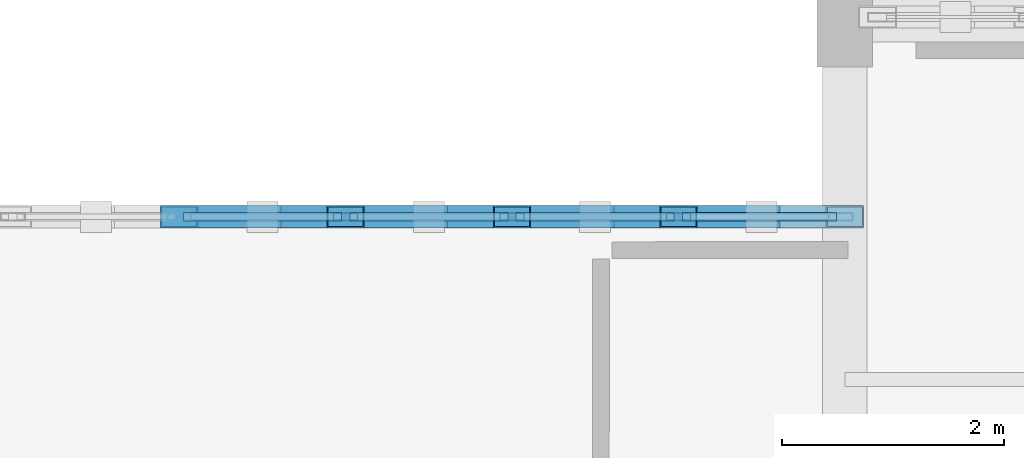
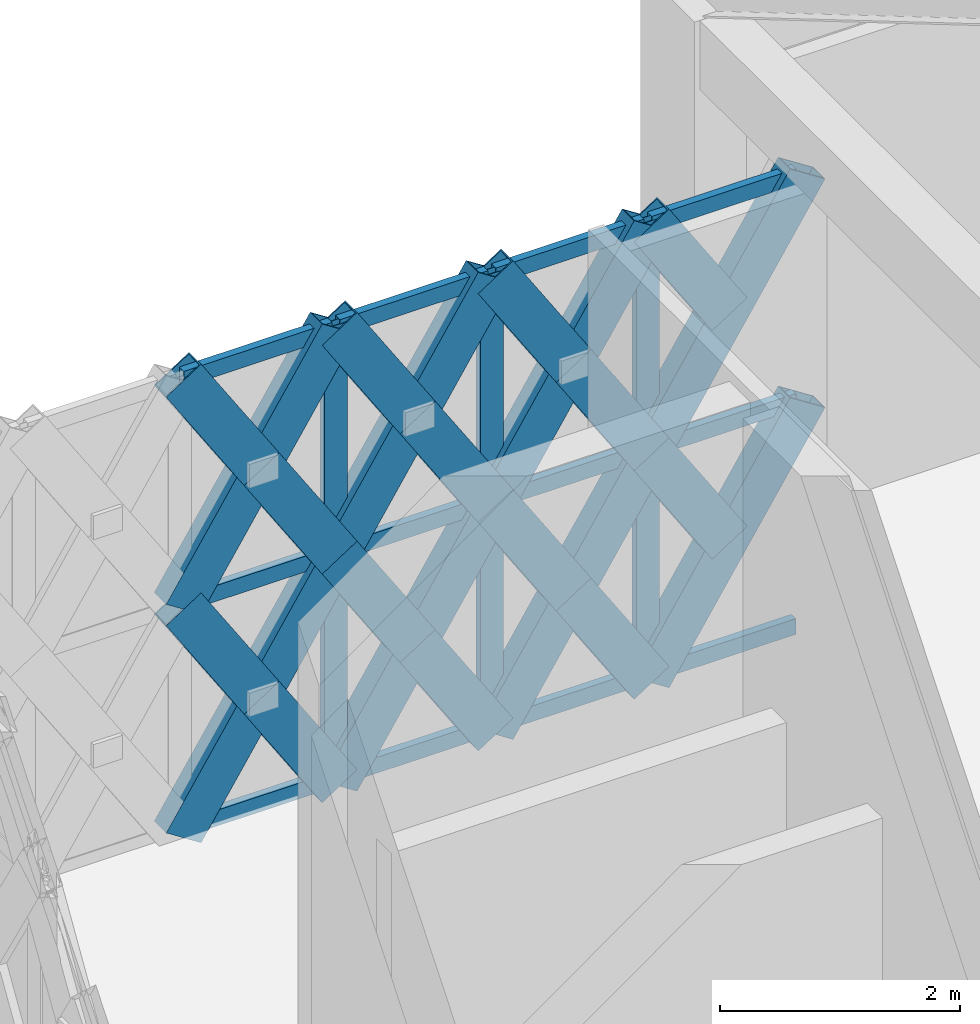
# One storey, part 37 of 72: 37 members, 1 element without a shape of its own.
"""IFC4 building model written with IfcOpenShell, lengths in metres."""

from ifc_helpers import new_model, si_unit, direction, frame, origin, origin_2d, place, context, subcontext, project, spatial, hollow_rectangle, extrude, material, material_profile, profile_set, type_object, element, aggregate, save


model = new_model("IFC4")

# Units and contexts
model_context = context("Model", 3, precision=1e-05, world=origin(), true_north=direction((0.0, 1.0)))
body_context = subcontext(model_context, "Body", "Model", "MODEL_VIEW")
ifc_project = project(units=[si_unit("LENGTHUNIT", "METRE"), si_unit("AREAUNIT", "SQUARE_METRE"), si_unit("VOLUMEUNIT", "CUBIC_METRE"), si_unit("PLANEANGLEUNIT", "RADIAN"), si_unit("MASSUNIT", "GRAM", prefix="KILO")], contexts=[model_context])

# Site, building, storey
site_placement = place(None, origin())
site = spatial("IfcSite", under=ifc_project, at=site_placement, CompositionType="ELEMENT")
building_placement = place(site_placement, origin())
building = spatial("IfcBuilding", under=site, at=building_placement, Name="Haizhuo Lancet Aquarium", CompositionType="ELEMENT")
storey_placement = place(building_placement, frame((0.0, 0.0, 21.60009765625)))
storey = spatial("IfcBuildingStorey", under=building, at=storey_placement, Name="L04", CompositionType="ELEMENT", Elevation=21.60009765625)

# Curtain wall, members
ifc_material_1 = material(Name="Aluminium 6063-T6", Category="aluminium")
curtain_wall_type = type_object("IfcCurtainWallType", Name="CWD-9000x4650", PredefinedType="NOTDEFINED", material=ifc_material_1)
curtain_wall_placement = place(storey_placement, origin())
curtain_wall = element("IfcCurtainWall", 1, at=curtain_wall_placement, inside=storey, type_object=curtain_wall_type, Name="L04 curtain wall CW-V5-L04-176", PredefinedType="NOTDEFINED")
ifc_material_profile_1 = material_profile(ifc_material_1, hollow_rectangle(XDim=0.074951171875, YDim=0.219970703125, WallThickness=0.0048828125, at=origin_2d()), Name="ALU-M 75x220x5")
ifc_profile_set_1 = profile_set([ifc_material_profile_1], Name="Aluminium 6063-T6")
member_type_1 = type_object("IfcMemberType", Name="CW-MUL-2", PredefinedType="MULLION", material=ifc_profile_set_1)
member_1_placement = place(storey_placement, frame((-22.5, 54.0, 0.0), z_axis=(0.0, 0.0, 1.0), x_axis=(0.0, 1.0, 0.0)))
member_1 = element("IfcMember", 2, at=member_1_placement, type_object=member_type_1, Name="CWD-90x46 mullion 4", PredefinedType="MULLION", context=body_context, shape_type="SweptSolid", body=[
    extrude(hollow_rectangle(XDim=0.074951171875, YDim=0.219970703125, WallThickness=0.0048828125, at=origin_2d()), origin(), (0.0, 0.0, 1.0), 4.64990234375),
])
member_2_placement = place(storey_placement, frame((-21.0, 54.0, 0.0), z_axis=(0.0, 0.0, 1.0), x_axis=(0.0, 1.0, 0.0)))
member_2 = element("IfcMember", 3, at=member_2_placement, type_object=member_type_1, Name="CWD-90x46 mullion 5", PredefinedType="MULLION", context=body_context, shape_type="SweptSolid", body=[
    extrude(hollow_rectangle(XDim=0.074951171875, YDim=0.219970703125, WallThickness=0.0048828125, at=origin_2d()), origin(), (0.0, 0.0, 1.0), 4.64990234375),
])
member_3_placement = place(storey_placement, frame((-19.5, 54.0, 0.0), z_axis=(0.0, 0.0, 1.0), x_axis=(0.0, 1.0, 0.0)))
member_3 = element("IfcMember", 4, at=member_3_placement, type_object=member_type_1, Name="CWD-90x46 mullion 6", PredefinedType="MULLION", context=body_context, shape_type="SweptSolid", body=[
    extrude(hollow_rectangle(XDim=0.074951171875, YDim=0.219970703125, WallThickness=0.0048828125, at=origin_2d()), origin(), (0.0, 0.0, 1.0), 4.64990234375),
])
ifc_material_profile_2 = material_profile(ifc_material_1, hollow_rectangle(XDim=0.074951171875, YDim=0.159912109375, WallThickness=0.00390625, at=origin_2d()), Name="ALU-T 75x160x4")
ifc_profile_set_2 = profile_set([ifc_material_profile_2], Name="Aluminium 6063-T6")
member_type_2 = type_object("IfcMemberType", Name="CW-TRN-2", PredefinedType="NOTDEFINED", material=ifc_profile_set_2)
member_4_placement = place(storey_placement, frame((-23.9619140625, 54.0, 0.037841796875), z_axis=(1.0, 0.0, 0.0), x_axis=(0.0, 1.0, 0.0)))
member_4 = element("IfcMember", 5, at=member_4_placement, type_object=member_type_2, Name="CWD-90x46 transom 3.1", ObjectType="TRANSOM", PredefinedType="USERDEFINED", context=body_context, shape_type="SweptSolid", body=[
    extrude(hollow_rectangle(XDim=0.074951171875, YDim=0.159912109375, WallThickness=0.00390625, at=origin_2d()), origin(), (0.0, 0.0, 1.0), 1.423828125),
])
member_5_placement = place(storey_placement, frame((-23.9619140625, 54.0, 2.324951171875), z_axis=(1.0, 0.0, 0.0), x_axis=(0.0, 1.0, 0.0)))
member_5 = element("IfcMember", 6, at=member_5_placement, type_object=member_type_2, Name="CWD-90x46 transom 3.2", ObjectType="TRANSOM", PredefinedType="USERDEFINED", context=body_context, shape_type="SweptSolid", body=[
    extrude(hollow_rectangle(XDim=0.074951171875, YDim=0.159912109375, WallThickness=0.00390625, at=origin_2d()), origin(), (0.0, 0.0, 1.0), 1.423828125),
])
member_6_placement = place(storey_placement, frame((-23.9619140625, 54.0, 4.61181640625), z_axis=(1.0, 0.0, 0.0), x_axis=(0.0, 1.0, 0.0)))
member_6 = element("IfcMember", 7, at=member_6_placement, type_object=member_type_2, Name="CWD-90x46 transom 3.3", ObjectType="TRANSOM", PredefinedType="USERDEFINED", context=body_context, shape_type="SweptSolid", body=[
    extrude(hollow_rectangle(XDim=0.074951171875, YDim=0.159912109375, WallThickness=0.00390625, at=origin_2d()), origin(), (0.0, 0.0, 1.0), 1.423828125),
])
member_7_placement = place(storey_placement, frame((-22.4619140625, 54.0, 0.037841796875), z_axis=(1.0, 0.0, 0.0), x_axis=(0.0, 1.0, 0.0)))
member_7 = element("IfcMember", 8, at=member_7_placement, type_object=member_type_2, Name="CWD-90x46 transom 4.1", ObjectType="TRANSOM", PredefinedType="USERDEFINED", context=body_context, shape_type="SweptSolid", body=[
    extrude(hollow_rectangle(XDim=0.074951171875, YDim=0.159912109375, WallThickness=0.00390625, at=origin_2d()), origin(), (0.0, 0.0, 1.0), 1.423828125),
])
member_8_placement = place(storey_placement, frame((-22.4619140625, 54.0, 2.324951171875), z_axis=(1.0, 0.0, 0.0), x_axis=(0.0, 1.0, 0.0)))
member_8 = element("IfcMember", 9, at=member_8_placement, type_object=member_type_2, Name="CWD-90x46 transom 4.2", ObjectType="TRANSOM", PredefinedType="USERDEFINED", context=body_context, shape_type="SweptSolid", body=[
    extrude(hollow_rectangle(XDim=0.074951171875, YDim=0.159912109375, WallThickness=0.00390625, at=origin_2d()), origin(), (0.0, 0.0, 1.0), 1.423828125),
])
member_9_placement = place(storey_placement, frame((-22.4619140625, 54.0, 4.61181640625), z_axis=(1.0, 0.0, 0.0), x_axis=(0.0, 1.0, 0.0)))
member_9 = element("IfcMember", 10, at=member_9_placement, type_object=member_type_2, Name="CWD-90x46 transom 4.3", ObjectType="TRANSOM", PredefinedType="USERDEFINED", context=body_context, shape_type="SweptSolid", body=[
    extrude(hollow_rectangle(XDim=0.074951171875, YDim=0.159912109375, WallThickness=0.00390625, at=origin_2d()), origin(), (0.0, 0.0, 1.0), 1.423828125),
])
member_10_placement = place(storey_placement, frame((-20.9619140625, 54.0, 0.037841796875), z_axis=(1.0, 0.0, 0.0), x_axis=(0.0, 1.0, 0.0)))
member_10 = element("IfcMember", 11, at=member_10_placement, type_object=member_type_2, Name="CWD-90x46 transom 5.1", ObjectType="TRANSOM", PredefinedType="USERDEFINED", context=body_context, shape_type="SweptSolid", body=[
    extrude(hollow_rectangle(XDim=0.074951171875, YDim=0.159912109375, WallThickness=0.00390625, at=origin_2d()), origin(), (0.0, 0.0, 1.0), 1.423828125),
])
member_11_placement = place(storey_placement, frame((-20.9619140625, 54.0, 2.324951171875), z_axis=(1.0, 0.0, 0.0), x_axis=(0.0, 1.0, 0.0)))
member_11 = element("IfcMember", 12, at=member_11_placement, type_object=member_type_2, Name="CWD-90x46 transom 5.2", ObjectType="TRANSOM", PredefinedType="USERDEFINED", context=body_context, shape_type="SweptSolid", body=[
    extrude(hollow_rectangle(XDim=0.074951171875, YDim=0.159912109375, WallThickness=0.00390625, at=origin_2d()), origin(), (0.0, 0.0, 1.0), 1.423828125),
])
member_12_placement = place(storey_placement, frame((-20.9619140625, 54.0, 4.61181640625), z_axis=(1.0, 0.0, 0.0), x_axis=(0.0, 1.0, 0.0)))
member_12 = element("IfcMember", 13, at=member_12_placement, type_object=member_type_2, Name="CWD-90x46 transom 5.3", ObjectType="TRANSOM", PredefinedType="USERDEFINED", context=body_context, shape_type="SweptSolid", body=[
    extrude(hollow_rectangle(XDim=0.074951171875, YDim=0.159912109375, WallThickness=0.00390625, at=origin_2d()), origin(), (0.0, 0.0, 1.0), 1.423828125),
])
member_13_placement = place(storey_placement, frame((-19.4619140625, 54.0, 0.037841796875), z_axis=(1.0, 0.0, 0.0), x_axis=(0.0, 1.0, 0.0)))
member_13 = element("IfcMember", 14, at=member_13_placement, type_object=member_type_2, Name="CWD-90x46 transom 6.1", ObjectType="TRANSOM", PredefinedType="USERDEFINED", context=body_context, shape_type="SweptSolid", body=[
    extrude(hollow_rectangle(XDim=0.074951171875, YDim=0.159912109375, WallThickness=0.00390625, at=origin_2d()), origin(), (0.0, 0.0, 1.0), 1.386962890625),
])
member_14_placement = place(storey_placement, frame((-19.4619140625, 54.0, 2.324951171875), z_axis=(1.0, 0.0, 0.0), x_axis=(0.0, 1.0, 0.0)))
member_14 = element("IfcMember", 15, at=member_14_placement, type_object=member_type_2, Name="CWD-90x46 transom 6.2", ObjectType="TRANSOM", PredefinedType="USERDEFINED", context=body_context, shape_type="SweptSolid", body=[
    extrude(hollow_rectangle(XDim=0.074951171875, YDim=0.159912109375, WallThickness=0.00390625, at=origin_2d()), origin(), (0.0, 0.0, 1.0), 1.386962890625),
])
member_15_placement = place(storey_placement, frame((-19.4619140625, 54.0, 4.61181640625), z_axis=(1.0, 0.0, 0.0), x_axis=(0.0, 1.0, 0.0)))
member_15 = element("IfcMember", 16, at=member_15_placement, type_object=member_type_2, Name="CWD-90x46 transom 6.3", ObjectType="TRANSOM", PredefinedType="USERDEFINED", context=body_context, shape_type="SweptSolid", body=[
    extrude(hollow_rectangle(XDim=0.074951171875, YDim=0.159912109375, WallThickness=0.00390625, at=origin_2d()), origin(), (0.0, 0.0, 1.0), 1.386962890625),
])
aggregate(curtain_wall, [member_1, member_2, member_3, member_4, member_5, member_6, member_7, member_8, member_9, member_10, member_11, member_12, member_13, member_14, member_15])

# Members
ifc_material_2 = material(Name="Steel S355", Category="steel")
ifc_material_profile_3 = material_profile(ifc_material_2, hollow_rectangle(XDim=0.199951171875, YDim=0.39990234375, WallThickness=0.011962890625, at=origin_2d()), Name="RHS 200x400x12")
ifc_profile_set_3 = profile_set([ifc_material_profile_3], Name="Steel S355")
member_type_3 = type_object("IfcMemberType", Name="MEM-LB-RHS200x400", PredefinedType="BRACE", material=ifc_profile_set_3)
member_16_placement = place(storey_placement, frame((-24.0, 54.0, 0.0), z_axis=(0.542134909125, 0.0, 0.840291461523), x_axis=(0.0, 1.0, 0.0)))
element("IfcMember", 17, at=member_16_placement, inside=storey, type_object=member_type_3, Name="Gothic lancet continuous diagonal brace CW-V5-L04-176 5A", PredefinedType="BRACE", context=body_context, shape_type="SweptSolid", body=[
    extrude(hollow_rectangle(XDim=0.199951171875, YDim=0.39990234375, WallThickness=0.011962890625, at=origin_2d()), origin(), (0.0, 0.0, 1.0), 2.766845703125),
])
member_17_placement = place(storey_placement, frame((-22.5, 54.0, 0.0), z_axis=(-0.542014339406, 0.0, 0.840369237822), x_axis=(0.0, -1.0, 0.0)))
element("IfcMember", 18, at=member_17_placement, inside=storey, type_object=member_type_3, Name="Gothic lancet split diagonal brace CW-V5-L04-176 5B1", PredefinedType="BRACE", context=body_context, shape_type="SweptSolid", body=[
    extrude(hollow_rectangle(XDim=0.199951171875, YDim=0.39990234375, WallThickness=0.011962890625, at=origin_2d()), origin(), (0.0, 0.0, 1.0), 1.3837890625),
])
member_18_placement = place(storey_placement, frame((-23.25, 54.0, 1.162841796875), z_axis=(-0.542255521326, 0.0, 0.840213633305), x_axis=(0.0, -1.0, 0.0)))
element("IfcMember", 19, at=member_18_placement, inside=storey, type_object=member_type_3, Name="Gothic lancet split diagonal brace CW-V5-L04-176 5B2", PredefinedType="BRACE", context=body_context, shape_type="SweptSolid", body=[
    extrude(hollow_rectangle(XDim=0.199951171875, YDim=0.39990234375, WallThickness=0.011962890625, at=origin_2d()), origin(), (0.0, 0.0, 1.0), 1.383056640625),
])
member_19_placement = place(storey_placement, frame((-24.0, 54.0, 2.324951171875), z_axis=(0.542134909125, 0.0, 0.840291461523), x_axis=(0.0, 1.0, 0.0)))
element("IfcMember", 20, at=member_19_placement, inside=storey, type_object=member_type_3, Name="Gothic lancet continuous diagonal brace CW-V5-L04-176 6A", PredefinedType="BRACE", context=body_context, shape_type="SweptSolid", body=[
    extrude(hollow_rectangle(XDim=0.199951171875, YDim=0.39990234375, WallThickness=0.011962890625, at=origin_2d()), origin(), (0.0, 0.0, 1.0), 2.766845703125),
])
member_20_placement = place(storey_placement, frame((-22.5, 54.0, 2.324951171875), z_axis=(-0.542335953068, 0.0, 0.840161718962), x_axis=(0.0, -1.0, 0.0)))
element("IfcMember", 21, at=member_20_placement, inside=storey, type_object=member_type_3, Name="Gothic lancet split diagonal brace CW-V5-L04-176 6B1", PredefinedType="BRACE", context=body_context, shape_type="SweptSolid", body=[
    extrude(hollow_rectangle(XDim=0.199951171875, YDim=0.39990234375, WallThickness=0.011962890625, at=origin_2d()), origin(), (0.0, 0.0, 1.0), 1.3828125),
])
member_21_placement = place(storey_placement, frame((-23.25, 54.0, 3.48681640625), z_axis=(-0.541933983188, 0.0, 0.840421059866), x_axis=(0.0, -1.0, 0.0)))
element("IfcMember", 22, at=member_21_placement, inside=storey, type_object=member_type_3, Name="Gothic lancet split diagonal brace CW-V5-L04-176 6B2", PredefinedType="BRACE", context=body_context, shape_type="SweptSolid", body=[
    extrude(hollow_rectangle(XDim=0.199951171875, YDim=0.39990234375, WallThickness=0.011962890625, at=origin_2d()), origin(), (0.0, 0.0, 1.0), 1.384033203125),
])
member_22_placement = place(storey_placement, frame((-22.5, 54.0, 0.0), z_axis=(0.542134909125, 0.0, 0.840291461523), x_axis=(0.0, 1.0, 0.0)))
element("IfcMember", 23, at=member_22_placement, inside=storey, type_object=member_type_3, Name="Gothic lancet continuous diagonal brace CW-V5-L04-176 7A", PredefinedType="BRACE", context=body_context, shape_type="SweptSolid", body=[
    extrude(hollow_rectangle(XDim=0.199951171875, YDim=0.39990234375, WallThickness=0.011962890625, at=origin_2d()), origin(), (0.0, 0.0, 1.0), 2.766845703125),
])
member_23_placement = place(storey_placement, frame((-21.0, 54.0, 0.0), z_axis=(-0.542014339406, 0.0, 0.840369237822), x_axis=(0.0, -1.0, 0.0)))
element("IfcMember", 24, at=member_23_placement, inside=storey, type_object=member_type_3, Name="Gothic lancet split diagonal brace CW-V5-L04-176 7B1", PredefinedType="BRACE", context=body_context, shape_type="SweptSolid", body=[
    extrude(hollow_rectangle(XDim=0.199951171875, YDim=0.39990234375, WallThickness=0.011962890625, at=origin_2d()), origin(), (0.0, 0.0, 1.0), 1.3837890625),
])
member_24_placement = place(storey_placement, frame((-21.75, 54.0, 1.162841796875), z_axis=(-0.542255521326, 0.0, 0.840213633305), x_axis=(0.0, -1.0, 0.0)))
element("IfcMember", 25, at=member_24_placement, inside=storey, type_object=member_type_3, Name="Gothic lancet split diagonal brace CW-V5-L04-176 7B2", PredefinedType="BRACE", context=body_context, shape_type="SweptSolid", body=[
    extrude(hollow_rectangle(XDim=0.199951171875, YDim=0.39990234375, WallThickness=0.011962890625, at=origin_2d()), origin(), (0.0, 0.0, 1.0), 1.383056640625),
])
member_25_placement = place(storey_placement, frame((-22.5, 54.0, 2.324951171875), z_axis=(0.542134909125, 0.0, 0.840291461523), x_axis=(0.0, 1.0, 0.0)))
element("IfcMember", 26, at=member_25_placement, inside=storey, type_object=member_type_3, Name="Gothic lancet continuous diagonal brace CW-V5-L04-176 8A", PredefinedType="BRACE", context=body_context, shape_type="SweptSolid", body=[
    extrude(hollow_rectangle(XDim=0.199951171875, YDim=0.39990234375, WallThickness=0.011962890625, at=origin_2d()), origin(), (0.0, 0.0, 1.0), 2.766845703125),
])
member_26_placement = place(storey_placement, frame((-21.0, 54.0, 2.324951171875), z_axis=(-0.542335953068, 0.0, 0.840161718962), x_axis=(0.0, -1.0, 0.0)))
element("IfcMember", 27, at=member_26_placement, inside=storey, type_object=member_type_3, Name="Gothic lancet split diagonal brace CW-V5-L04-176 8B1", PredefinedType="BRACE", context=body_context, shape_type="SweptSolid", body=[
    extrude(hollow_rectangle(XDim=0.199951171875, YDim=0.39990234375, WallThickness=0.011962890625, at=origin_2d()), origin(), (0.0, 0.0, 1.0), 1.3828125),
])
member_27_placement = place(storey_placement, frame((-21.75, 54.0, 3.48681640625), z_axis=(-0.541933983188, 0.0, 0.840421059866), x_axis=(0.0, -1.0, 0.0)))
element("IfcMember", 28, at=member_27_placement, inside=storey, type_object=member_type_3, Name="Gothic lancet split diagonal brace CW-V5-L04-176 8B2", PredefinedType="BRACE", context=body_context, shape_type="SweptSolid", body=[
    extrude(hollow_rectangle(XDim=0.199951171875, YDim=0.39990234375, WallThickness=0.011962890625, at=origin_2d()), origin(), (0.0, 0.0, 1.0), 1.384033203125),
])
member_28_placement = place(storey_placement, frame((-21.0, 54.0, 0.0), z_axis=(0.542134909125, 0.0, 0.840291461523), x_axis=(0.0, 1.0, 0.0)))
element("IfcMember", 29, at=member_28_placement, inside=storey, type_object=member_type_3, Name="Gothic lancet continuous diagonal brace CW-V5-L04-176 9A", PredefinedType="BRACE", context=body_context, shape_type="SweptSolid", body=[
    extrude(hollow_rectangle(XDim=0.199951171875, YDim=0.39990234375, WallThickness=0.011962890625, at=origin_2d()), origin(), (0.0, 0.0, 1.0), 2.766845703125),
])
member_29_placement = place(storey_placement, frame((-19.5, 54.0, 0.0), z_axis=(-0.542014339406, 0.0, 0.840369237822), x_axis=(0.0, -1.0, 0.0)))
element("IfcMember", 30, at=member_29_placement, inside=storey, type_object=member_type_3, Name="Gothic lancet split diagonal brace CW-V5-L04-176 9B1", PredefinedType="BRACE", context=body_context, shape_type="SweptSolid", body=[
    extrude(hollow_rectangle(XDim=0.199951171875, YDim=0.39990234375, WallThickness=0.011962890625, at=origin_2d()), origin(), (0.0, 0.0, 1.0), 1.3837890625),
])
member_30_placement = place(storey_placement, frame((-20.25, 54.0, 1.162841796875), z_axis=(-0.542255521326, 0.0, 0.840213633305), x_axis=(0.0, -1.0, 0.0)))
element("IfcMember", 31, at=member_30_placement, inside=storey, type_object=member_type_3, Name="Gothic lancet split diagonal brace CW-V5-L04-176 9B2", PredefinedType="BRACE", context=body_context, shape_type="SweptSolid", body=[
    extrude(hollow_rectangle(XDim=0.199951171875, YDim=0.39990234375, WallThickness=0.011962890625, at=origin_2d()), origin(), (0.0, 0.0, 1.0), 1.383056640625),
])
member_31_placement = place(storey_placement, frame((-21.0, 54.0, 2.324951171875), z_axis=(0.542134909125, 0.0, 0.840291461523), x_axis=(0.0, 1.0, 0.0)))
element("IfcMember", 32, at=member_31_placement, inside=storey, type_object=member_type_3, Name="Gothic lancet continuous diagonal brace CW-V5-L04-176 10A", PredefinedType="BRACE", context=body_context, shape_type="SweptSolid", body=[
    extrude(hollow_rectangle(XDim=0.199951171875, YDim=0.39990234375, WallThickness=0.011962890625, at=origin_2d()), origin(), (0.0, 0.0, 1.0), 2.766845703125),
])
member_32_placement = place(storey_placement, frame((-19.5, 54.0, 2.324951171875), z_axis=(-0.542335953068, 0.0, 0.840161718962), x_axis=(0.0, -1.0, 0.0)))
element("IfcMember", 33, at=member_32_placement, inside=storey, type_object=member_type_3, Name="Gothic lancet split diagonal brace CW-V5-L04-176 10B1", PredefinedType="BRACE", context=body_context, shape_type="SweptSolid", body=[
    extrude(hollow_rectangle(XDim=0.199951171875, YDim=0.39990234375, WallThickness=0.011962890625, at=origin_2d()), origin(), (0.0, 0.0, 1.0), 1.3828125),
])
member_33_placement = place(storey_placement, frame((-20.25, 54.0, 3.48681640625), z_axis=(-0.541933983188, 0.0, 0.840421059866), x_axis=(0.0, -1.0, 0.0)))
element("IfcMember", 34, at=member_33_placement, inside=storey, type_object=member_type_3, Name="Gothic lancet split diagonal brace CW-V5-L04-176 10B2", PredefinedType="BRACE", context=body_context, shape_type="SweptSolid", body=[
    extrude(hollow_rectangle(XDim=0.199951171875, YDim=0.39990234375, WallThickness=0.011962890625, at=origin_2d()), origin(), (0.0, 0.0, 1.0), 1.384033203125),
])
member_34_placement = place(storey_placement, frame((-19.5, 54.0, 0.0), z_axis=(0.542134909125, 0.0, 0.840291461523), x_axis=(0.0, 1.0, 0.0)))
element("IfcMember", 35, at=member_34_placement, inside=storey, type_object=member_type_3, Name="Gothic lancet continuous diagonal brace CW-V5-L04-176 11A", PredefinedType="BRACE", context=body_context, shape_type="SweptSolid", body=[
    extrude(hollow_rectangle(XDim=0.199951171875, YDim=0.39990234375, WallThickness=0.011962890625, at=origin_2d()), origin(), (0.0, 0.0, 1.0), 2.766845703125),
])
member_35_placement = place(storey_placement, frame((-18.75, 54.0, 1.162841796875), z_axis=(-0.542255521326, 0.0, 0.840213633305), x_axis=(0.0, -1.0, 0.0)))
element("IfcMember", 36, at=member_35_placement, inside=storey, type_object=member_type_3, Name="Gothic lancet split diagonal brace CW-V5-L04-176 11B2", PredefinedType="BRACE", context=body_context, shape_type="SweptSolid", body=[
    extrude(hollow_rectangle(XDim=0.199951171875, YDim=0.39990234375, WallThickness=0.011962890625, at=origin_2d()), origin(), (0.0, 0.0, 1.0), 1.383056640625),
])
member_36_placement = place(storey_placement, frame((-19.5, 54.0, 2.324951171875), z_axis=(0.542134909125, 0.0, 0.840291461523), x_axis=(0.0, 1.0, 0.0)))
element("IfcMember", 37, at=member_36_placement, inside=storey, type_object=member_type_3, Name="Gothic lancet continuous diagonal brace CW-V5-L04-176 12A", PredefinedType="BRACE", context=body_context, shape_type="SweptSolid", body=[
    extrude(hollow_rectangle(XDim=0.199951171875, YDim=0.39990234375, WallThickness=0.011962890625, at=origin_2d()), origin(), (0.0, 0.0, 1.0), 2.766845703125),
])
member_37_placement = place(storey_placement, frame((-18.75, 54.0, 3.48681640625), z_axis=(-0.541933983188, 0.0, 0.840421059866), x_axis=(0.0, -1.0, 0.0)))
element("IfcMember", 38, at=member_37_placement, inside=storey, type_object=member_type_3, Name="Gothic lancet split diagonal brace CW-V5-L04-176 12B2", PredefinedType="BRACE", context=body_context, shape_type="SweptSolid", body=[
    extrude(hollow_rectangle(XDim=0.199951171875, YDim=0.39990234375, WallThickness=0.011962890625, at=origin_2d()), origin(), (0.0, 0.0, 1.0), 1.384033203125),
])

save(model, "model.ifc")
